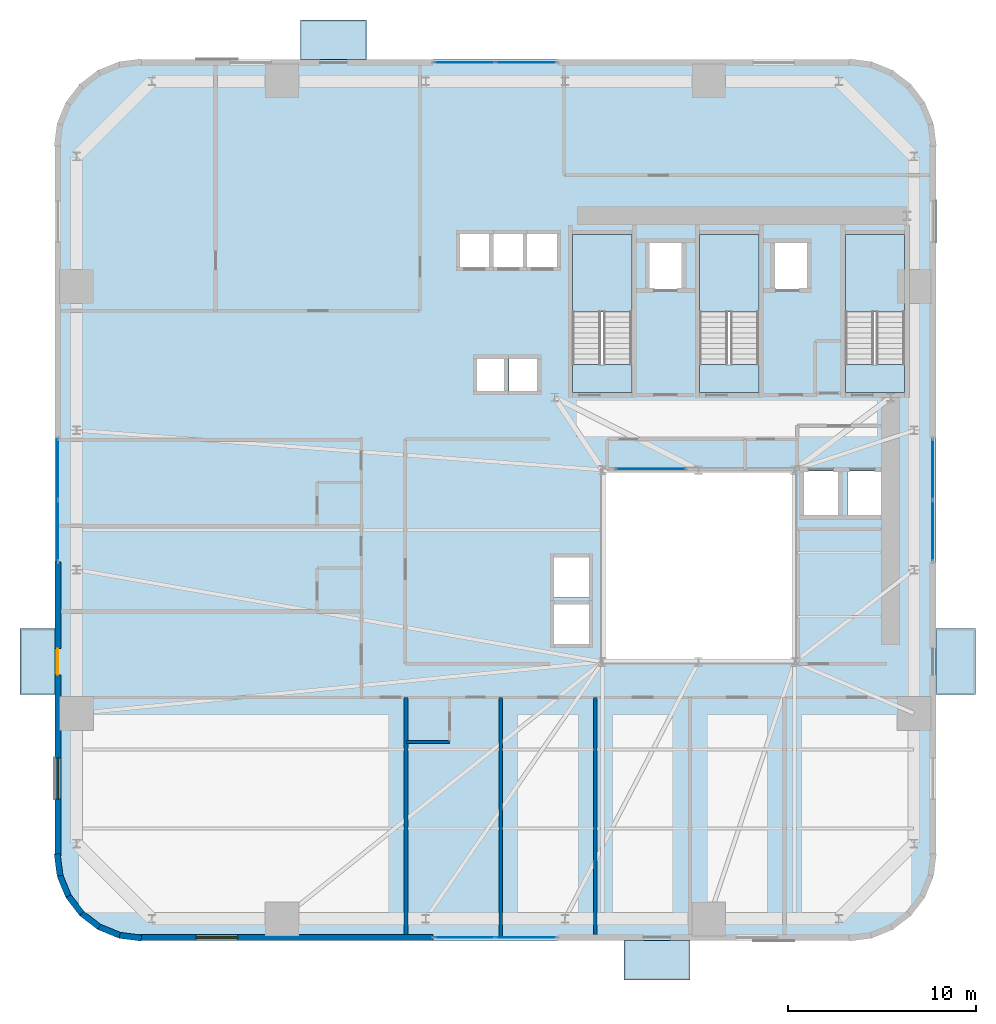
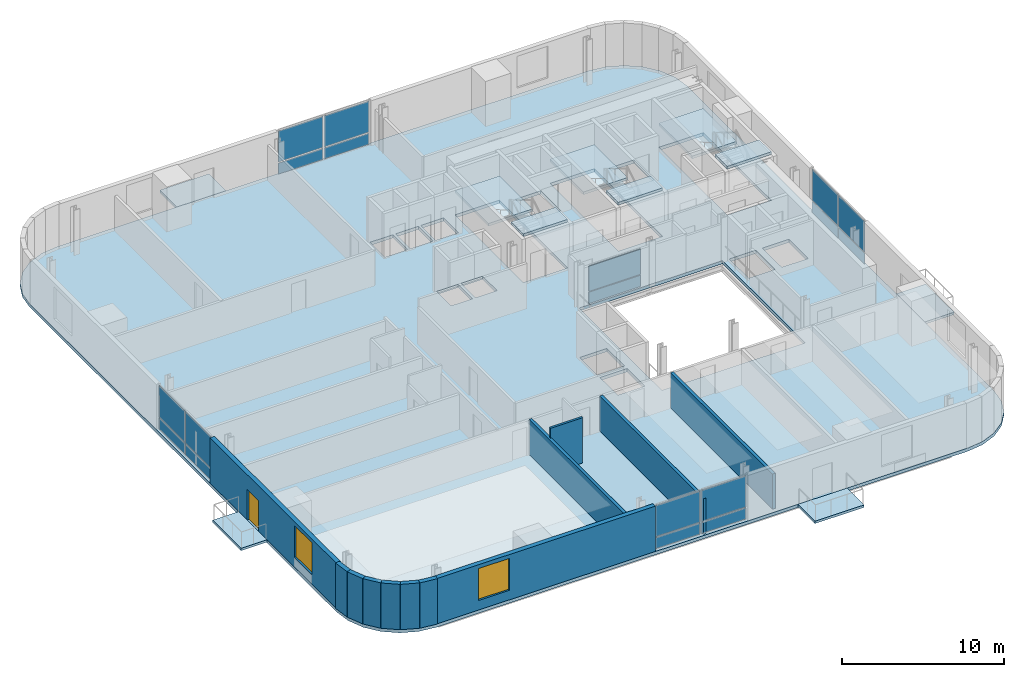
# One storey, part 5 of 13: 18 plates, 12 walls, 11 slabs, 2 windows, 1 door, 3 openings, 8 elements without a shape of their own.
"""IFC4 building model written with IfcOpenShell, lengths in metres."""

from ifc_helpers import new_model, si_unit, direction, frame, frame_2d, origin, origin_2d, place, context, subcontext, project, spatial, polyline, rectangle, outline, extrude, source, transform, mapped, material, layer, layer_set, type_object, element, fill, aggregate, save


model = new_model("IFC4")

# Units and contexts
model_context = context("Model", 3, precision=1e-05, world=origin(), true_north=direction((0.0, 1.0)))
body_context = subcontext(model_context, "Body", "Model", "MODEL_VIEW")
ifc_project = project(units=[si_unit("LENGTHUNIT", "METRE"), si_unit("AREAUNIT", "SQUARE_METRE"), si_unit("VOLUMEUNIT", "CUBIC_METRE"), si_unit("PLANEANGLEUNIT", "RADIAN"), si_unit("MASSUNIT", "GRAM", prefix="KILO")], contexts=[model_context])

# Site, building, storey
site_placement = place(None, origin())
site = spatial("IfcSite", under=ifc_project, at=site_placement, CompositionType="ELEMENT")
building_placement = place(site_placement, origin())
building = spatial("IfcBuilding", under=site, at=building_placement, Name="Vardaveli Station Tower", CompositionType="ELEMENT")
storey_placement = place(building_placement, frame((0.0, 0.0, 38.550048828125)))
storey = spatial("IfcBuildingStorey", under=building, at=storey_placement, Name="L09", CompositionType="ELEMENT", Elevation=38.550048828125)

# Stair, slabs
ifc_material_1 = material(Name="Concrete C40/50", Category="concrete")
stair_type = type_object("IfcStairType", Name="STR-CORE-1500", PredefinedType="HALF_TURN_STAIR", material=ifc_material_1)
stair_1_placement = place(storey_placement, origin())
stair_1 = element("IfcStair", 1, at=stair_1_placement, inside=storey, type_object=stair_type, Name="L09 ST-1", PredefinedType="HALF_TURN_STAIR")
ifc_layer_1 = layer(ifc_material_1, 0.199951171875, Name="Concrete C40/50")
ifc_layer_set_1 = layer_set([ifc_layer_1], Name="Concrete C40/50")
slab_type_1 = type_object("IfcSlabType", Name="SLB-LAND-200", PredefinedType="LANDING", material=ifc_layer_set_1)
slab_1_placement = place(storey_placement, frame((0.0, 0.0, 1.625)))
slab_1 = element("IfcSlab", 2, at=slab_1_placement, type_object=slab_type_1, Name="ST-1 landing 1", PredefinedType="LANDING", context=body_context, shape_type="SweptSolid", body=[
    extrude(outline(polyline([(32.75, 35.199951171875), (32.75, 39.300048828125), (29.60009765625, 39.300048828125), (29.60009765625, 35.199951171875), (32.75, 35.199951171875)])), origin(), (0.0, 0.0, 1.0), 0.199951171875),
])
slab_2_placement = place(storey_placement, frame((0.0, 0.0, 3.449951171875)))
slab_2 = element("IfcSlab", 3, at=slab_2_placement, type_object=slab_type_1, Name="ST-1 landing 2", PredefinedType="LANDING", context=body_context, shape_type="SweptSolid", body=[
    extrude(outline(polyline([(32.75, 30.89990234375), (32.75, 32.39990234375), (29.60009765625, 32.39990234375), (29.60009765625, 30.89990234375), (32.75, 30.89990234375)])), origin(), (0.0, 0.0, 1.0), 0.199951171875),
])
aggregate(stair_1, [slab_1, slab_2])

stair_2_placement = place(storey_placement, origin())
stair_2 = element("IfcStair", 4, at=stair_2_placement, inside=storey, type_object=stair_type, Name="L09 ST-2", PredefinedType="HALF_TURN_STAIR")
slab_3_placement = place(storey_placement, frame((0.0, 0.0, 1.625)))
slab_3 = element("IfcSlab", 5, at=slab_3_placement, type_object=slab_type_1, Name="ST-2 landing 1", PredefinedType="LANDING", context=body_context, shape_type="SweptSolid", body=[
    extrude(outline(polyline([(39.5, 35.199951171875), (39.5, 39.300048828125), (36.35009765625, 39.300048828125), (36.35009765625, 35.199951171875), (39.5, 35.199951171875)])), origin(), (0.0, 0.0, 1.0), 0.199951171875),
])
slab_4_placement = place(storey_placement, frame((0.0, 0.0, 3.449951171875)))
slab_4 = element("IfcSlab", 6, at=slab_4_placement, type_object=slab_type_1, Name="ST-2 landing 2", PredefinedType="LANDING", context=body_context, shape_type="SweptSolid", body=[
    extrude(outline(polyline([(39.5, 30.89990234375), (39.5, 32.39990234375), (36.35009765625, 32.39990234375), (36.35009765625, 30.89990234375), (39.5, 30.89990234375)])), origin(), (0.0, 0.0, 1.0), 0.199951171875),
])
aggregate(stair_2, [slab_3, slab_4])

stair_3_placement = place(storey_placement, origin())
stair_3 = element("IfcStair", 7, at=stair_3_placement, inside=storey, type_object=stair_type, Name="L09 ST-3", PredefinedType="HALF_TURN_STAIR")
slab_5_placement = place(storey_placement, frame((0.0, 0.0, 1.625)))
slab_5 = element("IfcSlab", 8, at=slab_5_placement, type_object=slab_type_1, Name="ST-3 landing 1", PredefinedType="LANDING", context=body_context, shape_type="SweptSolid", body=[
    extrude(outline(polyline([(47.25, 35.199951171875), (47.25, 39.300048828125), (44.10009765625, 39.300048828125), (44.10009765625, 35.199951171875), (47.25, 35.199951171875)])), origin(), (0.0, 0.0, 1.0), 0.199951171875),
])
slab_6_placement = place(storey_placement, frame((0.0, 0.0, 3.449951171875)))
slab_6 = element("IfcSlab", 9, at=slab_6_placement, type_object=slab_type_1, Name="ST-3 landing 2", PredefinedType="LANDING", context=body_context, shape_type="SweptSolid", body=[
    extrude(outline(polyline([(47.25, 30.89990234375), (47.25, 32.39990234375), (44.10009765625, 32.39990234375), (44.10009765625, 30.89990234375), (47.25, 30.89990234375)])), origin(), (0.0, 0.0, 1.0), 0.199951171875),
])
aggregate(stair_3, [slab_5, slab_6])

# Slabs
ifc_material_2 = material(Name="Precast concrete C45/55", Category="concrete")
ifc_layer_2 = layer(ifc_material_2, 0.179931640625, Name="Precast concrete C45/55")
ifc_layer_set_2 = layer_set([ifc_layer_2], Name="Precast concrete C45/55")
slab_type_2 = type_object("IfcSlabType", Name="SLB-LOGGIA-180", PredefinedType="FLOOR", material=ifc_layer_set_2)
slab_7_placement = place(storey_placement, frame((0.0, 0.0, -0.179931640625)))
element("IfcSlab", 10, at=slab_7_placement, inside=storey, type_object=slab_type_2, Name="LOG-L09-S", PredefinedType="FLOOR", context=body_context, shape_type="SweptSolid", body=[
    extrude(outline(polyline([(32.339599609375, -0.300048828125), (35.839599609375, -0.300048828125), (35.839599609375, 1.800048828125), (32.339599609375, 1.800048828125), (32.339599609375, -0.300048828125)])), origin(), (0.0, 0.0, 1.0), 0.179931640625),
])
slab_8_placement = place(storey_placement, frame((0.0, 0.0, -0.179931640625)))
element("IfcSlab", 11, at=slab_8_placement, inside=storey, type_object=slab_type_2, Name="LOG-L09-N", PredefinedType="FLOOR", context=body_context, shape_type="SweptSolid", body=[
    extrude(outline(polyline([(15.160400390625, 48.60009765625), (18.660400390625, 48.60009765625), (18.660400390625, 50.699951171875), (15.160400390625, 50.699951171875), (15.160400390625, 48.60009765625)])), origin(), (0.0, 0.0, 1.0), 0.179931640625),
])
slab_9_placement = place(storey_placement, frame((0.0, 0.0, -0.179931640625)))
element("IfcSlab", 12, at=slab_9_placement, inside=storey, type_object=slab_type_2, Name="LOG-L09-W", PredefinedType="FLOOR", context=body_context, shape_type="SweptSolid", body=[
    extrude(outline(polyline([(0.25, 14.8603515625), (2.10009765625, 14.8603515625), (2.10009765625, 18.3603515625), (0.25, 18.3603515625), (0.25, 14.8603515625)])), origin(), (0.0, 0.0, 1.0), 0.179931640625),
])
slab_10_placement = place(storey_placement, frame((0.0, 0.0, -0.179931640625)))
element("IfcSlab", 13, at=slab_10_placement, inside=storey, type_object=slab_type_2, Name="LOG-L09-E", PredefinedType="FLOOR", context=body_context, shape_type="SweptSolid", body=[
    extrude(outline(polyline([(48.89990234375, 14.8603515625), (51.0, 14.8603515625), (51.0, 18.3603515625), (48.89990234375, 18.3603515625), (48.89990234375, 14.8603515625)])), origin(), (0.0, 0.0, 1.0), 0.179931640625),
])
ifc_layer_3 = layer(ifc_material_1, 0.239990234375, Name="Concrete C40/50")
ifc_layer_set_3 = layer_set([ifc_layer_3], Name="Concrete C40/50")
slab_type_3 = type_object("IfcSlabType", Name="SLB-TOW-240", PredefinedType="FLOOR", material=ifc_layer_set_3)
slab_11_placement = place(storey_placement, frame((0.0, 0.0, -0.239990234375)))
element("IfcSlab", 14, at=slab_11_placement, inside=storey, type_object=slab_type_3, Name="SLB-L09-MAIN", PredefinedType="FLOOR", context=body_context, shape_type="SweptSolid", body=[
    extrude(outline(polyline([(2.10009765625, 6.300048828125), (2.25341796875, 5.13525390625), (2.702880859375, 4.050048828125), (3.41796875, 3.117919921875), (4.35009765625, 2.40283203125), (5.435302734375, 1.953369140625), (6.60009765625, 1.800048828125), (44.39990234375, 1.800048828125), (45.564697265625, 1.953369140625), (46.64990234375, 2.40283203125), (47.58203125, 3.117919921875), (48.297119140625, 4.050048828125), (48.74658203125, 5.13525390625), (48.89990234375, 6.300048828125), (48.89990234375, 44.10009765625), (48.74658203125, 45.2646484375), (48.297119140625, 46.35009765625), (47.58203125, 47.281982421875), (46.64990234375, 47.9970703125), (45.564697265625, 48.44677734375), (44.39990234375, 48.60009765625), (6.60009765625, 48.60009765625), (5.435302734375, 48.44677734375), (4.35009765625, 47.9970703125), (3.41796875, 47.281982421875), (2.702880859375, 46.35009765625), (2.25341796875, 45.2646484375), (2.10009765625, 44.10009765625), (2.10009765625, 6.300048828125)]), holes=[polyline([(31.199951171875, 16.60009765625), (41.39990234375, 16.60009765625), (41.39990234375, 26.800048828125), (31.199951171875, 26.800048828125), (31.199951171875, 16.60009765625)]), polyline([(32.75, 30.89990234375), (32.75, 39.300048828125), (29.60009765625, 39.300048828125), (29.60009765625, 30.89990234375), (32.75, 30.89990234375)]), polyline([(39.5, 30.89990234375), (39.5, 39.300048828125), (36.35009765625, 39.300048828125), (36.35009765625, 30.89990234375), (39.5, 30.89990234375)]), polyline([(47.25, 30.89990234375), (47.25, 39.300048828125), (44.10009765625, 39.300048828125), (44.10009765625, 30.89990234375), (47.25, 30.89990234375)]), polyline([(23.5849609375, 37.534912109375), (25.215087890625, 37.534912109375), (25.215087890625, 39.364990234375), (23.5849609375, 39.364990234375), (23.5849609375, 37.534912109375)]), polyline([(25.385009765625, 37.534912109375), (27.014892578125, 37.534912109375), (27.014892578125, 39.364990234375), (25.385009765625, 39.364990234375), (25.385009765625, 37.534912109375)]), polyline([(27.18505859375, 37.534912109375), (28.81494140625, 37.534912109375), (28.81494140625, 39.364990234375), (27.18505859375, 39.364990234375), (27.18505859375, 37.534912109375)]), polyline([(33.659912109375, 36.409912109375), (35.43994140625, 36.409912109375), (35.43994140625, 38.889892578125), (33.659912109375, 38.889892578125), (33.659912109375, 36.409912109375)]), polyline([(40.31005859375, 36.409912109375), (42.090087890625, 36.409912109375), (42.090087890625, 38.889892578125), (40.31005859375, 38.889892578125), (40.31005859375, 36.409912109375)]), polyline([(24.485107421875, 30.9599609375), (26.014892578125, 30.9599609375), (26.014892578125, 32.739990234375), (24.485107421875, 32.739990234375), (24.485107421875, 30.9599609375)]), polyline([(26.235107421875, 30.9599609375), (27.764892578125, 30.9599609375), (27.764892578125, 32.739990234375), (26.235107421875, 32.739990234375), (26.235107421875, 30.9599609375)]), polyline([(28.5849609375, 17.510009765625), (30.514892578125, 17.510009765625), (30.514892578125, 19.68994140625), (28.5849609375, 19.68994140625), (28.5849609375, 17.510009765625)]), polyline([(28.5849609375, 20.010009765625), (30.514892578125, 20.010009765625), (30.514892578125, 22.18994140625), (28.5849609375, 22.18994140625), (28.5849609375, 20.010009765625)]), polyline([(41.860107421875, 24.360107421875), (43.739990234375, 24.360107421875), (43.739990234375, 26.739990234375), (41.860107421875, 26.739990234375), (41.860107421875, 24.360107421875)]), polyline([(44.2099609375, 24.360107421875), (46.090087890625, 24.360107421875), (46.090087890625, 26.739990234375), (44.2099609375, 26.739990234375), (44.2099609375, 24.360107421875)])]), origin(), (0.0, 0.0, 1.0), 0.239990234375),
])

# Curtain wall, plates
ifc_material_3 = material(Name="Travertine stone and solar-control glass", Category="masonry")
curtain_wall_type_1 = type_object("IfcCurtainWallType", Name="CW-SYS-2", PredefinedType="NOTDEFINED", material=ifc_material_3)
curtain_wall_1_placement = place(storey_placement, origin())
curtain_wall_1 = element("IfcCurtainWall", 15, at=curtain_wall_1_placement, inside=storey, type_object=curtain_wall_type_1, Name="CW-L09-S", PredefinedType="NOTDEFINED")
ifc_material_4 = material(Name="Double-glazed low-E solar-control glass", Category="glass")
ifc_layer_4 = layer(ifc_material_4, 0.035888671875, Name="Double-glazed low-E solar-control glass")
ifc_layer_set_4 = layer_set([ifc_layer_4], Name="Double-glazed low-E solar-control glass")
plate_type_1 = type_object("IfcPlateType", Name="CW-SYS-2-PAN", PredefinedType="CURTAIN_PANEL", material=ifc_layer_set_4)
shared_shape_1 = source(origin(), body_context, "Body", "SweptSolid", [
    extrude(rectangle(XDim=3.172607421875, YDim=0.035888671875, at=origin_2d()), origin(), (0.0, 0.0, 1.0), 0.822509765625),
])
plate_1_placement = place(storey_placement, frame((23.871337890625, 1.9599609375, 0.0849609375), z_axis=(0.0, 0.0, 1.0), x_axis=(1.0, 0.0, 0.0)))
plate_1 = element("IfcPlate", 16, at=plate_1_placement, type_object=plate_type_1, Name="CW-2 panel 1.1", PredefinedType="CURTAIN_PANEL", context=body_context, shape_type="MappedRepresentation", body=[
    mapped(shared_shape_1, transform((0.0, 0.0, 0.0), scale=1.0)),
])
plate_2_placement = place(storey_placement, frame((27.128662109375, 1.9599609375, 0.0849609375), z_axis=(0.0, 0.0, 1.0), x_axis=(1.0, 0.0, 0.0)))
plate_2 = element("IfcPlate", 17, at=plate_2_placement, type_object=plate_type_1, Name="CW-2 panel 2.1", PredefinedType="CURTAIN_PANEL", context=body_context, shape_type="MappedRepresentation", body=[
    mapped(shared_shape_1, transform((0.0, 0.0, 0.0), scale=1.0)),
])

curtain_wall_2_placement = place(storey_placement, origin())
curtain_wall_2 = element("IfcCurtainWall", 18, at=curtain_wall_2_placement, inside=storey, type_object=curtain_wall_type_1, Name="CW-L09-N", PredefinedType="NOTDEFINED")
plate_3_placement = place(storey_placement, frame((27.128662109375, 48.43994140625, 0.0849609375), z_axis=(0.0, 0.0, 1.0), x_axis=(-1.0, 0.0, 0.0)))
plate_3 = element("IfcPlate", 19, at=plate_3_placement, type_object=plate_type_1, Name="CW-2 panel 1.1", PredefinedType="CURTAIN_PANEL", context=body_context, shape_type="MappedRepresentation", body=[
    mapped(shared_shape_1, transform((0.0, 0.0, 0.0), scale=1.0)),
])
plate_4_placement = place(storey_placement, frame((23.871337890625, 48.43994140625, 0.0849609375), z_axis=(0.0, 0.0, 1.0), x_axis=(-1.0, 0.0, 0.0)))
plate_4 = element("IfcPlate", 20, at=plate_4_placement, type_object=plate_type_1, Name="CW-2 panel 2.1", PredefinedType="CURTAIN_PANEL", context=body_context, shape_type="MappedRepresentation", body=[
    mapped(shared_shape_1, transform((0.0, 0.0, 0.0), scale=1.0)),
])

curtain_wall_3_placement = place(storey_placement, origin())
curtain_wall_3 = element("IfcCurtainWall", 21, at=curtain_wall_3_placement, inside=storey, type_object=curtain_wall_type_1, Name="CW-L09-W", PredefinedType="NOTDEFINED")
plate_5_placement = place(storey_placement, frame((2.260009765625, 26.828857421875, 0.0849609375), z_axis=(0.0, 0.0, 1.0), x_axis=(0.0, -1.0, 0.0)))
plate_5 = element("IfcPlate", 22, at=plate_5_placement, type_object=plate_type_1, Name="CW-2 panel 1.1", PredefinedType="CURTAIN_PANEL", context=body_context, shape_type="MappedRepresentation", body=[
    mapped(shared_shape_1, transform((0.0, 0.0, 0.0), scale=1.0)),
])
plate_6_placement = place(storey_placement, frame((2.260009765625, 23.5712890625, 0.0849609375), z_axis=(0.0, 0.0, 1.0), x_axis=(0.0, -1.0, 0.0)))
plate_6 = element("IfcPlate", 23, at=plate_6_placement, type_object=plate_type_1, Name="CW-2 panel 2.1", PredefinedType="CURTAIN_PANEL", context=body_context, shape_type="MappedRepresentation", body=[
    mapped(shared_shape_1, transform((0.0, 0.0, 0.0), scale=1.0)),
])

curtain_wall_4_placement = place(storey_placement, origin())
curtain_wall_4 = element("IfcCurtainWall", 24, at=curtain_wall_4_placement, inside=storey, type_object=curtain_wall_type_1, Name="CW-L09-E", PredefinedType="NOTDEFINED")
plate_7_placement = place(storey_placement, frame((48.739990234375, 23.5712890625, 0.0849609375), z_axis=(0.0, 0.0, 1.0), x_axis=(0.0, 1.0, 0.0)))
plate_7 = element("IfcPlate", 25, at=plate_7_placement, type_object=plate_type_1, Name="CW-2 panel 1.1", PredefinedType="CURTAIN_PANEL", context=body_context, shape_type="MappedRepresentation", body=[
    mapped(shared_shape_1, transform((0.0, 0.0, 0.0), scale=1.0)),
])
plate_8_placement = place(storey_placement, frame((48.739990234375, 26.828857421875, 0.0849609375), z_axis=(0.0, 0.0, 1.0), x_axis=(0.0, 1.0, 0.0)))
plate_8 = element("IfcPlate", 26, at=plate_8_placement, type_object=plate_type_1, Name="CW-2 panel 2.1", PredefinedType="CURTAIN_PANEL", context=body_context, shape_type="MappedRepresentation", body=[
    mapped(shared_shape_1, transform((0.0, 0.0, 0.0), scale=1.0)),
])

# Plate
shared_shape_2 = source(origin(), body_context, "Body", "SweptSolid", [
    extrude(rectangle(XDim=3.172607421875, YDim=0.035888671875, at=origin_2d()), origin(), (0.0, 0.0, 1.0), 2.33251953125),
])
plate_9_placement = place(storey_placement, frame((23.871337890625, 1.9599609375, 0.992431640625), z_axis=(0.0, 0.0, 1.0), x_axis=(1.0, 0.0, 0.0)))
plate_9 = element("IfcPlate", 27, at=plate_9_placement, type_object=plate_type_1, Name="CW-2 panel 1.2", PredefinedType="CURTAIN_PANEL", context=body_context, shape_type="MappedRepresentation", body=[
    mapped(shared_shape_2, transform((0.0, 0.0, 0.0), scale=1.0)),
])

plate_10_placement = place(storey_placement, frame((27.128662109375, 1.9599609375, 0.992431640625), z_axis=(0.0, 0.0, 1.0), x_axis=(1.0, 0.0, 0.0)))
plate_10 = element("IfcPlate", 28, at=plate_10_placement, type_object=plate_type_1, Name="CW-2 panel 2.2", PredefinedType="CURTAIN_PANEL", context=body_context, shape_type="MappedRepresentation", body=[
    mapped(shared_shape_2, transform((0.0, 0.0, 0.0), scale=1.0)),
])

aggregate(curtain_wall_1, [plate_1, plate_9, plate_2, plate_10])

plate_11_placement = place(storey_placement, frame((27.128662109375, 48.43994140625, 0.992431640625), z_axis=(0.0, 0.0, 1.0), x_axis=(-1.0, 0.0, 0.0)))
plate_11 = element("IfcPlate", 29, at=plate_11_placement, type_object=plate_type_1, Name="CW-2 panel 1.2", PredefinedType="CURTAIN_PANEL", context=body_context, shape_type="MappedRepresentation", body=[
    mapped(shared_shape_2, transform((0.0, 0.0, 0.0), scale=1.0)),
])

plate_12_placement = place(storey_placement, frame((23.871337890625, 48.43994140625, 0.992431640625), z_axis=(0.0, 0.0, 1.0), x_axis=(-1.0, 0.0, 0.0)))
plate_12 = element("IfcPlate", 30, at=plate_12_placement, type_object=plate_type_1, Name="CW-2 panel 2.2", PredefinedType="CURTAIN_PANEL", context=body_context, shape_type="MappedRepresentation", body=[
    mapped(shared_shape_2, transform((0.0, 0.0, 0.0), scale=1.0)),
])

aggregate(curtain_wall_2, [plate_3, plate_11, plate_4, plate_12])

plate_13_placement = place(storey_placement, frame((2.260009765625, 26.828857421875, 0.992431640625), z_axis=(0.0, 0.0, 1.0), x_axis=(0.0, -1.0, 0.0)))
plate_13 = element("IfcPlate", 31, at=plate_13_placement, type_object=plate_type_1, Name="CW-2 panel 1.2", PredefinedType="CURTAIN_PANEL", context=body_context, shape_type="MappedRepresentation", body=[
    mapped(shared_shape_2, transform((0.0, 0.0, 0.0), scale=1.0)),
])

plate_14_placement = place(storey_placement, frame((2.260009765625, 23.5712890625, 0.992431640625), z_axis=(0.0, 0.0, 1.0), x_axis=(0.0, -1.0, 0.0)))
plate_14 = element("IfcPlate", 32, at=plate_14_placement, type_object=plate_type_1, Name="CW-2 panel 2.2", PredefinedType="CURTAIN_PANEL", context=body_context, shape_type="MappedRepresentation", body=[
    mapped(shared_shape_2, transform((0.0, 0.0, 0.0), scale=1.0)),
])

aggregate(curtain_wall_3, [plate_5, plate_13, plate_6, plate_14])

plate_15_placement = place(storey_placement, frame((48.739990234375, 23.5712890625, 0.992431640625), z_axis=(0.0, 0.0, 1.0), x_axis=(0.0, 1.0, 0.0)))
plate_15 = element("IfcPlate", 33, at=plate_15_placement, type_object=plate_type_1, Name="CW-2 panel 1.2", PredefinedType="CURTAIN_PANEL", context=body_context, shape_type="MappedRepresentation", body=[
    mapped(shared_shape_2, transform((0.0, 0.0, 0.0), scale=1.0)),
])

plate_16_placement = place(storey_placement, frame((48.739990234375, 26.828857421875, 0.992431640625), z_axis=(0.0, 0.0, 1.0), x_axis=(0.0, 1.0, 0.0)))
plate_16 = element("IfcPlate", 34, at=plate_16_placement, type_object=plate_type_1, Name="CW-2 panel 2.2", PredefinedType="CURTAIN_PANEL", context=body_context, shape_type="MappedRepresentation", body=[
    mapped(shared_shape_2, transform((0.0, 0.0, 0.0), scale=1.0)),
])

aggregate(curtain_wall_4, [plate_7, plate_15, plate_8, plate_16])

# Curtain wall, plates
curtain_wall_type_2 = type_object("IfcCurtainWallType", Name="CW-SYS-4", PredefinedType="NOTDEFINED", material=ifc_material_3)
curtain_wall_5_placement = place(storey_placement, origin())
curtain_wall_5 = element("IfcCurtainWall", 35, at=curtain_wall_5_placement, inside=storey, type_object=curtain_wall_type_2, Name="CW-L09-ATN", PredefinedType="NOTDEFINED")
ifc_layer_5 = layer(ifc_material_4, 0.028076171875, Name="Double-glazed low-E solar-control glass")
ifc_layer_set_5 = layer_set([ifc_layer_5], Name="Double-glazed low-E solar-control glass")
plate_type_2 = type_object("IfcPlateType", Name="CW-SYS-4-PAN", PredefinedType="CURTAIN_PANEL", material=ifc_layer_set_5)
shared_shape_3 = source(origin(), body_context, "Body", "SweptSolid", [
    extrude(rectangle(XDim=3.659912109375, YDim=0.028076171875, at=origin_2d()), origin(), (0.0, 0.0, 1.0), 0.844970703125),
])
plate_17_placement = place(storey_placement, frame((33.75, 26.85009765625, 0.06982421875), z_axis=(0.0, 0.0, 1.0), x_axis=(1.0, 0.0, 0.0)))
plate_17 = element("IfcPlate", 36, at=plate_17_placement, type_object=plate_type_2, Name="CW-4 panel 1.1", PredefinedType="CURTAIN_PANEL", context=body_context, shape_type="MappedRepresentation", body=[
    mapped(shared_shape_3, transform((0.0, 0.0, 0.0), scale=1.0)),
])
shared_shape_4 = source(origin(), body_context, "Body", "SweptSolid", [
    extrude(rectangle(XDim=3.659912109375, YDim=0.028076171875, at=origin_2d()), origin(), (0.0, 0.0, 1.0), 1.89501953125),
])
plate_18_placement = place(storey_placement, frame((33.75, 26.85009765625, 0.98486328125), z_axis=(0.0, 0.0, 1.0), x_axis=(1.0, 0.0, 0.0)))
plate_18 = element("IfcPlate", 37, at=plate_18_placement, type_object=plate_type_2, Name="CW-4 panel 1.2", PredefinedType="CURTAIN_PANEL", context=body_context, shape_type="MappedRepresentation", body=[
    mapped(shared_shape_4, transform((0.0, 0.0, 0.0), scale=1.0)),
])
aggregate(curtain_wall_5, [plate_17, plate_18])

# Wall, opening, window
ifc_layer_6 = layer(ifc_material_2, 0.320068359375, Name="Precast concrete C45/55")
ifc_layer_set_6 = layer_set([ifc_layer_6], Name="Precast concrete C45/55")
wall_type_1 = type_object("IfcWallType", Name="WAL-EXT-STONE-320", PredefinedType="SOLIDWALL", material=ifc_layer_set_6)
shared_shape_5 = source(origin(), body_context, "Body", "SweptSolid", [
    extrude(rectangle(XDim=15.599853515625, YDim=0.320068359375, at=frame_2d((7.7998046875, 0.0))), origin(), (0.0, 0.0, 1.0), 3.409912109375),
])
wall_1_placement = place(storey_placement, frame((6.60009765625, 1.9599609375, 0.0), z_axis=(0.0, 0.0, 1.0), x_axis=(1.0, 0.0, 0.0)))
wall_1 = element("IfcWall", 38, at=wall_1_placement, inside=storey, type_object=wall_type_1, Name="EW-L09-S1", PredefinedType="SOLIDWALL", context=body_context, shape_type="MappedRepresentation", body=[
    mapped(shared_shape_5, transform((0.0, 0.0, 0.0), scale=1.0)),
])
shared_shape_6 = source(origin(), body_context, "Body", "SweptSolid", [
    extrude(rectangle(XDim=2.199951171875, YDim=2.39990234375, at=frame_2d((1.10009765625, 1.199951171875))), frame((0.0, 0.169921875, 0.0), z_axis=(0.0, -1.0, 0.0), x_axis=(1.0, 0.0, 0.0)), (0.0, 0.0, 1.0), 0.340087890625),
])
opening_1_placement = place(wall_1_placement, frame((3.0048828125, 0.0, 0.719970703125)))
opening_1 = element("IfcOpeningElement", 39, at=opening_1_placement, cuts=wall_1, Name="Opening W-03", PredefinedType="OPENING", context=body_context, shape_type="MappedRepresentation", body=[
    mapped(shared_shape_6, transform((0.0, 0.0, 0.0), scale=1.0)),
])
ifc_material_5 = material(Name="Low-E solar-control glass", Category="glass")
window_type = type_object("IfcWindowType", Name="WIN-LOG-2200x2400", PartitioningType="SINGLE_PANEL", PredefinedType="WINDOW", material=ifc_material_5)
shared_shape_7 = source(origin(), body_context, "Body", "SweptSolid", [
    extrude(rectangle(XDim=2.199951171875, YDim=2.39990234375, at=frame_2d((1.10009765625, 1.199951171875))), frame((0.0, 0.030029296875, 0.0), z_axis=(0.0, -1.0, 0.0), x_axis=(1.0, 0.0, 0.0)), (0.0, 0.0, 1.0), 0.06005859375),
])
window_1_placement = place(opening_1_placement, origin())
window_1 = element("IfcWindow", 40, at=window_1_placement, inside=storey, type_object=window_type, Name="WN-L09-S1", OverallHeight=2.39990234375, OverallWidth=2.199951171875, PartitioningType="SINGLE_PANEL", PredefinedType="WINDOW", context=body_context, shape_type="MappedRepresentation", body=[
    mapped(shared_shape_7, transform((0.0, 0.0, 0.0), scale=1.0)),
])
fill(opening_1, window_1)

# Wall, openings, door, window
wall_2_placement = place(storey_placement, frame((2.260009765625, 21.89990234375, 0.0), z_axis=(0.0, 0.0, 1.0), x_axis=(0.0, -1.0, 0.0)))
wall_2 = element("IfcWall", 41, at=wall_2_placement, inside=storey, type_object=wall_type_1, Name="EW-L09-W2", PredefinedType="SOLIDWALL", context=body_context, shape_type="MappedRepresentation", body=[
    mapped(shared_shape_5, transform((0.0, 0.0, 0.0), scale=1.0)),
])
shared_shape_8 = source(origin(), body_context, "Body", "SweptSolid", [
    extrude(rectangle(XDim=1.39990234375, YDim=2.300048828125, at=frame_2d((0.699951171875, 1.14990234375))), frame((0.0, 0.169921875, 0.0), z_axis=(0.0, -1.0, 0.0), x_axis=(1.0, 0.0, 0.0)), (0.0, 0.0, 1.0), 0.340087890625),
])
opening_2_placement = place(wall_2_placement, frame((4.589599609375, 0.0, 0.0)))
opening_2 = element("IfcOpeningElement", 42, at=opening_2_placement, cuts=wall_2, Name="Opening D-09", PredefinedType="OPENING", context=body_context, shape_type="MappedRepresentation", body=[
    mapped(shared_shape_8, transform((0.0, 0.0, 0.0), scale=1.0)),
])
opening_3_placement = place(wall_2_placement, frame((10.39501953125, 0.0, 0.719970703125)))
opening_3 = element("IfcOpeningElement", 43, at=opening_3_placement, cuts=wall_2, Name="Opening W-03", PredefinedType="OPENING", context=body_context, shape_type="MappedRepresentation", body=[
    mapped(shared_shape_6, transform((0.0, 0.0, 0.0), scale=1.0)),
])
ifc_material_6 = material(Name="Thermally broken aluminium glass", Category="aluminium")
door_type = type_object("IfcDoorType", Name="DR-LOG-1400x2300", OperationType="DOUBLE_DOOR_SLIDING", PredefinedType="DOOR", material=ifc_material_6)
shared_shape_9 = source(origin(), body_context, "Body", "SweptSolid", [
    extrude(rectangle(XDim=1.39990234375, YDim=2.300048828125, at=frame_2d((0.699951171875, 1.14990234375))), frame((0.0, 0.02490234375, 0.0), z_axis=(0.0, -1.0, 0.0), x_axis=(1.0, 0.0, 0.0)), (0.0, 0.0, 1.0), 0.050048828125),
])
door_placement = place(opening_2_placement, frame((1.39990234375, 0.0, 0.0), z_axis=(0.0, 0.0, 1.0), x_axis=(-1.0, 0.0, 0.0)))
door = element("IfcDoor", 44, at=door_placement, inside=storey, type_object=door_type, Name="DLG-L09-W", OperationType="DOUBLE_DOOR_SLIDING", OverallHeight=2.300048828125, OverallWidth=1.39990234375, PredefinedType="DOOR", context=body_context, shape_type="MappedRepresentation", body=[
    mapped(shared_shape_9, transform((0.0, 0.0, 0.0), scale=1.0)),
])
fill(opening_2, door)
window_2_placement = place(opening_3_placement, origin())
window_2 = element("IfcWindow", 45, at=window_2_placement, inside=storey, type_object=window_type, Name="WN-L09-W2", OverallHeight=2.39990234375, OverallWidth=2.199951171875, PartitioningType="SINGLE_PANEL", PredefinedType="WINDOW", context=body_context, shape_type="MappedRepresentation", body=[
    mapped(shared_shape_7, transform((0.0, 0.0, 0.0), scale=1.0)),
])
fill(opening_3, window_2)

# Walls
shared_shape_10 = source(origin(), body_context, "Body", "SweptSolid", [
    extrude(rectangle(XDim=1.170654296875, YDim=0.320068359375, at=frame_2d((0.58544921875, 0.0))), origin(), (0.0, 0.0, 1.0), 3.409912109375),
])
wall_3_placement = place(storey_placement, frame((2.224365234375, 6.400634765625, 0.0), z_axis=(0.0, 0.0, 1.0), x_axis=(0.128269133229, -0.991739395941, 0.0)))
element("IfcWall", 46, at=wall_3_placement, inside=storey, type_object=wall_type_1, Name="EW-L09-CR1-1", PredefinedType="SOLIDWALL", context=body_context, shape_type="MappedRepresentation", body=[
    mapped(shared_shape_10, transform((0.0, 0.0, 0.0), scale=1.0)),
])
shared_shape_11 = source(origin(), body_context, "Body", "SweptSolid", [
    extrude(rectangle(XDim=1.1689453125, YDim=0.320068359375, at=frame_2d((0.58447265625, 0.0))), origin(), (0.0, 0.0, 1.0), 3.409912109375),
])
for number, where, z_axis, x_axis, name in (
    (47, (2.37451171875, 5.23974609375, 0.0), (0.0, 0.0, 1.0), (0.381127904695, -0.924522320046, 0.0), "EW-L09-CR1-2"),
    (48, (2.820068359375, 4.158935546875, 0.0), (0.0, 0.0, 1.0), (0.608387696831, -0.793639975269, 0.0), "EW-L09-CR1-3"),
):
    element("IfcWall", number, at=place(storey_placement, frame(where, z_axis=z_axis, x_axis=x_axis)), inside=storey, type_object=wall_type_1, Name=name, PredefinedType="SOLIDWALL", context=body_context, shape_type="MappedRepresentation", body=[
        mapped(shared_shape_11, transform((0.0, 0.0, 0.0), scale=1.0)),
    ])
shared_shape_12 = source(origin(), body_context, "Body", "SweptSolid", [
    extrude(rectangle(XDim=1.168701171875, YDim=0.320068359375, at=frame_2d((0.58447265625, 0.0))), origin(), (0.0, 0.0, 1.0), 3.409912109375),
])
wall_4_placement = place(storey_placement, frame((3.53125, 3.231201171875, 0.0), z_axis=(0.0, 0.0, 1.0), x_axis=(0.793663520347, -0.608356981114, 0.0)))
element("IfcWall", 49, at=wall_4_placement, inside=storey, type_object=wall_type_1, Name="EW-L09-CR1-4", PredefinedType="SOLIDWALL", context=body_context, shape_type="MappedRepresentation", body=[
    mapped(shared_shape_12, transform((0.0, 0.0, 0.0), scale=1.0)),
])
shared_shape_13 = source(origin(), body_context, "Body", "SweptSolid", [
    extrude(rectangle(XDim=1.16943359375, YDim=0.320068359375, at=frame_2d((0.584716796875, 0.0))), origin(), (0.0, 0.0, 1.0), 3.409912109375),
])
wall_5_placement = place(storey_placement, frame((4.458740234375, 2.520263671875, 0.0), z_axis=(0.0, 0.0, 1.0), x_axis=(0.924479075121, -0.381232789334, 0.0)))
element("IfcWall", 50, at=wall_5_placement, inside=storey, type_object=wall_type_1, Name="EW-L09-CR1-5", PredefinedType="SOLIDWALL", context=body_context, shape_type="MappedRepresentation", body=[
    mapped(shared_shape_13, transform((0.0, 0.0, 0.0), scale=1.0)),
])
shared_shape_14 = source(origin(), body_context, "Body", "SweptSolid", [
    extrude(rectangle(XDim=1.170166015625, YDim=0.320068359375, at=frame_2d((0.5849609375, 0.0))), origin(), (0.0, 0.0, 1.0), 3.409912109375),
])
wall_6_placement = place(storey_placement, frame((5.539794921875, 2.074462890625, 0.0), z_axis=(0.0, 0.0, 1.0), x_axis=(0.991762485493, -0.128090485085, 0.0)))
element("IfcWall", 51, at=wall_6_placement, inside=storey, type_object=wall_type_1, Name="EW-L09-CR1-6", PredefinedType="SOLIDWALL", context=body_context, shape_type="MappedRepresentation", body=[
    mapped(shared_shape_14, transform((0.0, 0.0, 0.0), scale=1.0)),
])
ifc_material_7 = material(Name="Moisture-resistant stud partition")
ifc_layer_7 = layer(ifc_material_7, 0.14990234375, Name="Moisture-resistant stud partition")
ifc_layer_set_7 = layer_set([ifc_layer_7], Name="Moisture-resistant stud partition")
wall_type_2 = type_object("IfcWallType", Name="WAL-WET-150", PredefinedType="PARTITIONING", material=ifc_layer_set_7)
shared_shape_15 = source(origin(), body_context, "Body", "SweptSolid", [
    extrude(rectangle(XDim=2.2900390625, YDim=0.14990234375, at=frame_2d((1.14501953125, 0.0))), origin(), (0.0, 0.0, 1.0), 3.409912109375),
])
wall_7_placement = place(storey_placement, frame((20.780029296875, 12.35009765625, 0.0), z_axis=(0.0, 0.0, 1.0), x_axis=(1.0, 0.0, 0.0)))
element("IfcWall", 52, at=wall_7_placement, inside=storey, type_object=wall_type_2, Name="W-L09-BS2-S", PredefinedType="PARTITIONING", context=body_context, shape_type="MappedRepresentation", body=[
    mapped(shared_shape_15, transform((0.0, 0.0, 0.0), scale=1.0)),
])
ifc_material_8 = material(Name="Acoustic twin-stud gypsum partition")
ifc_layer_8 = layer(ifc_material_8, 0.199951171875, Name="Acoustic twin-stud gypsum partition")
ifc_layer_set_8 = layer_set([ifc_layer_8], Name="Acoustic twin-stud gypsum partition")
wall_type_3 = type_object("IfcWallType", Name="WAL-PARTY-200", PredefinedType="PARTITIONING", material=ifc_layer_set_8)
shared_shape_16 = source(origin(), body_context, "Body", "SweptSolid", [
    extrude(rectangle(XDim=12.587890625, YDim=0.199951171875, at=frame_2d((6.2939453125, 0.0))), origin(), (0.0, 0.0, 1.0), 2.65185546875),
])
for number, where, z_axis, x_axis, name in (
    (53, (20.760009765625, 2.1220703125, 0.0), (0.0, 0.0, 1.0), (0.0, 1.0, 0.0), "W-L09-PS1"),
    (54, (30.81298828125, 2.1220703125, 0.0), (0.0, 0.0, 1.0), (0.0, 1.0, 0.0), "W-L09-PS3"),
):
    element("IfcWall", number, at=place(storey_placement, frame(where, z_axis=z_axis, x_axis=x_axis)), inside=storey, type_object=wall_type_3, Name=name, PredefinedType="PARTITIONING", context=body_context, shape_type="MappedRepresentation", body=[
        mapped(shared_shape_16, transform((0.0, 0.0, 0.0), scale=1.0)),
    ])
shared_shape_17 = source(origin(), body_context, "Body", "SweptSolid", [
    extrude(rectangle(XDim=12.780029296875, YDim=0.199951171875, at=frame_2d((6.39013671875, 0.0))), origin(), (0.0, 0.0, 1.0), 2.65185546875),
])
wall_8_placement = place(storey_placement, frame((25.787109375, 1.929931640625, 0.0), z_axis=(0.0, 0.0, 1.0), x_axis=(0.0, 1.0, 0.0)))
element("IfcWall", 55, at=wall_8_placement, inside=storey, type_object=wall_type_3, Name="W-L09-PS2", PredefinedType="PARTITIONING", context=body_context, shape_type="MappedRepresentation", body=[
    mapped(shared_shape_17, transform((0.0, 0.0, 0.0), scale=1.0)),
])

save(model, "model.ifc")
